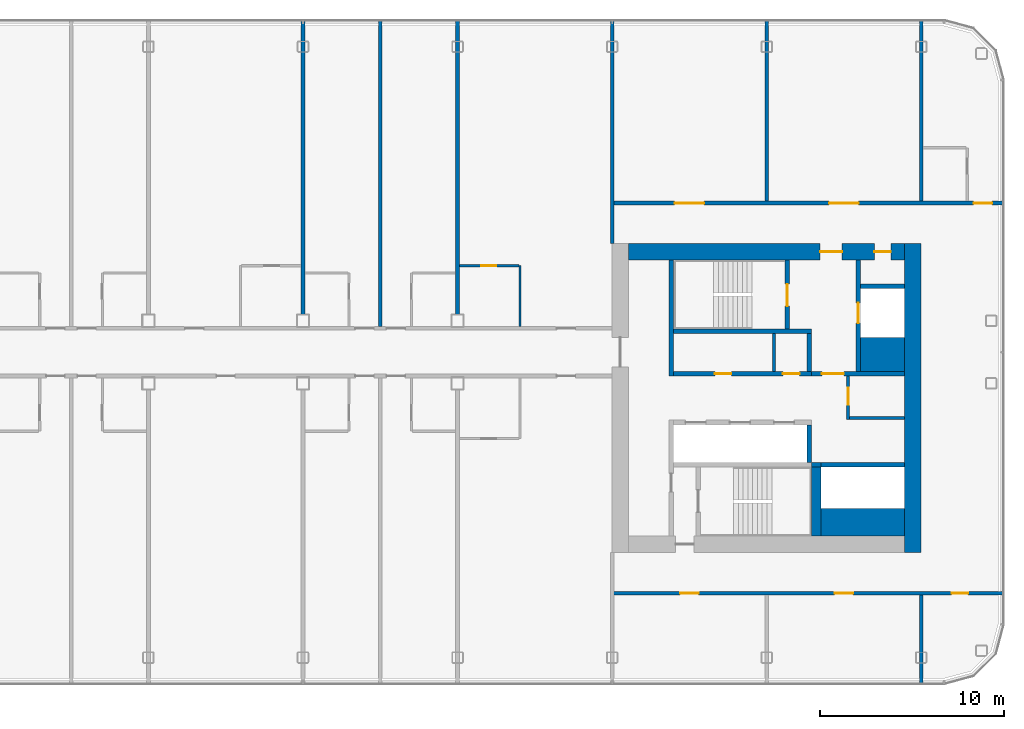
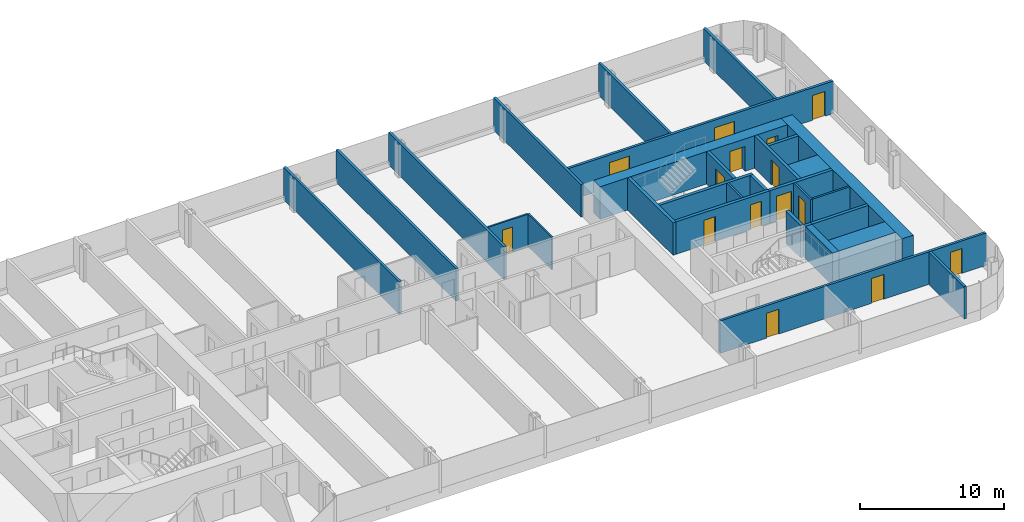
# One storey, part 16 of 26: 30 walls, 15 doors, 15 openings.
"""IFC4 building model written with IfcOpenShell, lengths in metres."""

from ifc_helpers import new_model, si_unit, direction, frame, frame_2d, origin, place, context, subcontext, project, spatial, rectangle, extrude, material, layer, layer_set, type_object, element, fill, save


model = new_model("IFC4")

# Units and contexts
model_context = context("Model", 3, precision=1e-05, world=origin(), true_north=direction((0.0, 1.0)))
body_context = subcontext(model_context, "Body", "Model", "MODEL_VIEW")
ifc_project = project(units=[si_unit("LENGTHUNIT", "METRE"), si_unit("AREAUNIT", "SQUARE_METRE"), si_unit("VOLUMEUNIT", "CUBIC_METRE"), si_unit("PLANEANGLEUNIT", "RADIAN"), si_unit("MASSUNIT", "GRAM", prefix="KILO")], contexts=[model_context])

# Site, building, storey
site_placement = place(None, origin())
site = spatial("IfcSite", under=ifc_project, at=site_placement, CompositionType="ELEMENT")
building_placement = place(site_placement, origin())
building = spatial("IfcBuilding", under=site, at=building_placement, Name="Hakoniwa Tower and Hamabe Station Hall", CompositionType="ELEMENT")
storey_placement = place(building_placement, frame((0.0, 0.0, 196.199951171875)))
storey = spatial("IfcBuildingStorey", under=building, at=storey_placement, Name="L55", CompositionType="ELEMENT", Elevation=196.199951171875)

# Wall, opening, door
ifc_material_1 = material(Name="Gypsum board partition", Category="gypsum")
ifc_layer_1 = layer(ifc_material_1, 0.125)
ifc_layer_set_1 = layer_set([ifc_layer_1], Name="Bathroom Partition 125")
wall_type_1 = type_object("IfcWallType", Name="Bathroom Partition 125", PredefinedType="PARTITIONING", material=ifc_layer_set_1)
wall_1_placement = place(storey_placement, frame((8.5, 7.199951171875, 0.0), z_axis=(0.0, 0.0, 1.0), x_axis=(1.0, 0.0, 0.0)))
wall_1 = element("IfcWall", 1, at=wall_1_placement, inside=storey, type_object=wall_type_1, Name="GW-L55-015", PredefinedType="PARTITIONING", context=body_context, shape_type="SweptSolid", body=[
    extrude(rectangle(XDim=3.237548828125, YDim=0.125, at=frame_2d((1.61865234375, 0.0))), origin(), (0.0, 0.0, 1.0), 2.75),
])
opening_1_placement = place(wall_1_placement, frame((1.199951171875, 0.0, 0.0)))
opening_1 = element("IfcOpeningElement", 2, at=opening_1_placement, cuts=wall_1, Name="Opening GD-G4D0-23", PredefinedType="OPENING", context=body_context, shape_type="SweptSolid", body=[
    extrude(rectangle(XDim=0.800048828125, YDim=2.10009765625, at=frame_2d((0.39990234375, 1.050048828125))), frame((0.0, 0.072509765625, 0.0), z_axis=(0.0, -1.0, 0.0), x_axis=(1.0, 0.0, 0.0)), (0.0, 0.0, 1.0), 0.14501953125),
])
ifc_material_2 = material(Name="Timber door leaf", Category="wood")
door_type_1 = type_object("IfcDoorType", Name="Bathroom Door 800", OperationType="SINGLE_SWING_LEFT", PredefinedType="DOOR", material=ifc_material_2)
door_1_placement = place(opening_1_placement, origin())
door_1 = element("IfcDoor", 3, at=door_1_placement, inside=storey, type_object=door_type_1, Name="Door GD-G4D0-23", OperationType="SINGLE_SWING_RIGHT", OverallHeight=2.10009765625, OverallWidth=0.800048828125, PredefinedType="DOOR", context=body_context, shape_type="SweptSolid", body=[
    extrude(rectangle(XDim=0.800048828125, YDim=2.10009765625, at=frame_2d((0.39990234375, 1.050048828125))), frame((0.0, 0.02490234375, 0.0), z_axis=(0.0, -1.0, 0.0), x_axis=(1.0, 0.0, 0.0)), (0.0, 0.0, 1.0), 0.050048828125),
])
fill(opening_1, door_1)

# Wall
wall_2_placement = place(storey_placement, frame((11.800048828125, 3.89990234375, 0.0), z_axis=(0.0, 0.0, 1.0), x_axis=(0.0, 1.0, 0.0)))
element("IfcWall", 4, at=wall_2_placement, inside=storey, type_object=wall_type_1, Name="GW-L55-049", PredefinedType="PARTITIONING", context=body_context, shape_type="SweptSolid", body=[
    extrude(rectangle(XDim=3.300048828125, YDim=0.125, at=frame_2d((1.64990234375, 0.0))), origin(), (0.0, 0.0, 1.0), 2.75),
])

# Wall, opening, door
ifc_material_3 = material(Name="Gypsum board partition")
ifc_layer_2 = layer(ifc_material_3, 0.14990234375)
ifc_layer_set_2 = layer_set([ifc_layer_2], Name="CORE PARTITION 150 EI 60")
wall_type_2 = type_object("IfcWallType", Name="CORE PARTITION 150 EI 60", PredefinedType="PARTITIONING", material=ifc_layer_set_2)
wall_3_placement = place(storey_placement, frame((29.625, -1.14990234375, 0.0), z_axis=(0.0, 0.0, 1.0), x_axis=(0.0, 1.0, 0.0)))
wall_3 = element("IfcWall", 5, at=wall_3_placement, inside=storey, type_object=wall_type_2, Name="Core partition PW0 east", PredefinedType="PARTITIONING", context=body_context, shape_type="SweptSolid", body=[
    extrude(rectangle(XDim=2.349853515625, YDim=0.14990234375, at=frame_2d((1.1748046875, 0.0))), origin(), (0.0, 0.0, 1.0), 2.75),
])
opening_2_placement = place(wall_3_placement, frame((0.800048828125, 0.0, 0.0)))
opening_2 = element("IfcOpeningElement", 6, at=opening_2_placement, cuts=wall_3, Name="Opening CD-E-RM1-9", PredefinedType="OPENING", context=body_context, shape_type="SweptSolid", body=[
    extrude(rectangle(XDim=0.89990234375, YDim=2.10009765625, at=frame_2d((0.449951171875, 1.050048828125))), frame((0.0, 0.0849609375, 0.0), z_axis=(0.0, -1.0, 0.0), x_axis=(1.0, 0.0, 0.0)), (0.0, 0.0, 1.0), 0.169921875),
])
ifc_material_4 = material(Name="Steel fire door", Category="steel")
door_type_2 = type_object("IfcDoorType", Name="CORE DOOR 900 FD30", OperationType="NOTDEFINED", PredefinedType="DOOR", material=ifc_material_4)
door_2_placement = place(opening_2_placement, origin())
door_2 = element("IfcDoor", 7, at=door_2_placement, inside=storey, type_object=door_type_2, Name="Store room door", OperationType="SINGLE_SWING_RIGHT", OverallHeight=2.10009765625, OverallWidth=0.89990234375, PredefinedType="DOOR", context=body_context, shape_type="SweptSolid", body=[
    extrude(rectangle(XDim=0.89990234375, YDim=2.10009765625, at=frame_2d((0.449951171875, 1.050048828125))), frame((0.0, 0.02490234375, 0.0), z_axis=(0.0, -1.0, 0.0), x_axis=(1.0, 0.0, 0.0)), (0.0, 0.0, 1.0), 0.050048828125),
])
fill(opening_2, door_2)

# Walls
wall_4_placement = place(storey_placement, frame((29.699951171875, -1.074951171875, 0.0), z_axis=(0.0, 0.0, 1.0), x_axis=(1.0, 0.0, 0.0)))
element("IfcWall", 8, at=wall_4_placement, inside=storey, type_object=wall_type_2, Name="Core partition PS east", PredefinedType="PARTITIONING", context=body_context, shape_type="SweptSolid", body=[
    extrude(rectangle(XDim=3.0, YDim=0.14990234375, at=frame_2d((1.5, 0.0))), origin(), (0.0, 0.0, 1.0), 2.75),
])
wall_5_placement = place(storey_placement, frame((25.60009765625, 1.449951171875, 0.0), z_axis=(0.0, 0.0, 1.0), x_axis=(0.0, 1.0, 0.0)))
element("IfcWall", 9, at=wall_5_placement, inside=storey, type_object=wall_type_2, Name="Core partition PFLR0 east", PredefinedType="PARTITIONING", context=body_context, shape_type="SweptSolid", body=[
    extrude(rectangle(XDim=2.050048828125, YDim=0.14990234375, at=frame_2d((1.02490234375, 0.0))), origin(), (0.0, 0.0, 1.0), 2.75),
])
ifc_material_5 = material(Name="Concrete C60", Category="concrete")
ifc_layer_3 = layer(ifc_material_5, 0.89990234375)
ifc_layer_set_3 = layer_set([ifc_layer_3], Name="CORE WALL 900 C60")
wall_type_3 = type_object("IfcWallType", Name="CORE WALL 900 C60", PredefinedType="SHEAR", material=ifc_layer_set_3)
wall_6_placement = place(storey_placement, frame((33.14990234375, -8.39990234375, 0.0), z_axis=(0.0, 0.0, 1.0), x_axis=(0.0, 1.0, 0.0)))
element("IfcWall", 10, at=wall_6_placement, inside=storey, type_object=wall_type_3, Name="Core wall OUTER east", PredefinedType="SHEAR", context=body_context, shape_type="SweptSolid", body=[
    extrude(rectangle(XDim=16.7998046875, YDim=0.89990234375, at=frame_2d((8.39990234375, 0.0))), origin(), (0.0, 0.0, 1.0), 2.75),
])

# Wall, openings, doors
wall_7_placement = place(storey_placement, frame((17.699951171875, 7.949951171875, 0.0), z_axis=(0.0, 0.0, 1.0), x_axis=(1.0, 0.0, 0.0)))
wall_7 = element("IfcWall", 11, at=wall_7_placement, inside=storey, type_object=wall_type_3, Name="Core wall NORTH east", PredefinedType="SHEAR", context=body_context, shape_type="SweptSolid", body=[
    extrude(rectangle(XDim=15.0, YDim=0.89990234375, at=frame_2d((7.5, 0.0))), origin(), (0.0, 0.0, 1.0), 2.75),
])
opening_3_placement = place(wall_7_placement, frame((10.39990234375, 0.0, 0.0)))
opening_3 = element("IfcOpeningElement", 12, at=opening_3_placement, cuts=wall_7, Name="Opening CD-E-FN1-12", PredefinedType="OPENING", context=body_context, shape_type="SweptSolid", body=[
    extrude(rectangle(XDim=1.199951171875, YDim=2.10009765625, at=frame_2d((0.60009765625, 1.050048828125))), frame((0.0, 0.4599609375, 0.0), z_axis=(0.0, -1.0, 0.0), x_axis=(1.0, 0.0, 0.0)), (0.0, 0.0, 1.0), 0.919921875),
])
opening_4_placement = place(wall_7_placement, frame((13.35009765625, 0.0, 0.0)))
opening_4 = element("IfcOpeningElement", 13, at=opening_4_placement, cuts=wall_7, Name="Opening CD-E-FN2-9", PredefinedType="OPENING", context=body_context, shape_type="SweptSolid", body=[
    extrude(rectangle(XDim=0.89990234375, YDim=2.10009765625, at=frame_2d((0.449951171875, 1.050048828125))), frame((0.0, 0.4599609375, 0.0), z_axis=(0.0, -1.0, 0.0), x_axis=(1.0, 0.0, 0.0)), (0.0, 0.0, 1.0), 0.919921875),
])
ifc_material_6 = material(Name="Steel fire door", Category="steel")
door_type_3 = type_object("IfcDoorType", Name="CORE DOOR 1200 FD60", OperationType="DOUBLE_DOOR_SINGLE_SWING", PredefinedType="DOOR", material=ifc_material_6)
door_3_placement = place(opening_3_placement, origin())
door_3 = element("IfcDoor", 14, at=door_3_placement, inside=storey, type_object=door_type_3, Name="Stair vestibule door to the fire-fighting lobby", OperationType="DOUBLE_DOOR_SINGLE_SWING", OverallHeight=2.10009765625, OverallWidth=1.199951171875, PredefinedType="DOOR", context=body_context, shape_type="SweptSolid", body=[
    extrude(rectangle(XDim=1.199951171875, YDim=2.10009765625, at=frame_2d((0.60009765625, 1.050048828125))), frame((0.0, 0.02490234375, 0.0), z_axis=(0.0, -1.0, 0.0), x_axis=(1.0, 0.0, 0.0)), (0.0, 0.0, 1.0), 0.050048828125),
])
fill(opening_3, door_3)
door_4_placement = place(opening_4_placement, origin())
door_4 = element("IfcDoor", 15, at=door_4_placement, inside=storey, type_object=door_type_2, Name="Riser access door", OperationType="SINGLE_SWING_LEFT", OverallHeight=2.10009765625, OverallWidth=0.89990234375, PredefinedType="DOOR", context=body_context, shape_type="SweptSolid", body=[
    extrude(rectangle(XDim=0.89990234375, YDim=2.10009765625, at=frame_2d((0.449951171875, 1.050048828125))), frame((0.0, 0.02490234375, 0.0), z_axis=(0.0, -1.0, 0.0), x_axis=(1.0, 0.0, 0.0)), (0.0, 0.0, 1.0), 0.050048828125),
])
fill(opening_4, door_4)

# Walls
ifc_material_7 = material(Name="Concrete C60", Category="concrete")
ifc_layer_4 = layer(ifc_material_7, 1.5)
ifc_layer_set_4 = layer_set([ifc_layer_4], Name="CORE WEB WALL 1500 C60")
wall_type_4 = type_object("IfcWallType", Name="CORE WEB WALL 1500 C60", PredefinedType="SHEAR", material=ifc_layer_set_4)
wall_8_placement = place(storey_placement, frame((28.14990234375, -6.75, 0.0), z_axis=(0.0, 0.0, 1.0), x_axis=(1.0, 0.0, 0.0)))
element("IfcWall", 16, at=wall_8_placement, inside=storey, type_object=wall_type_4, Name="Core wall SER east", PredefinedType="SHEAR", context=body_context, shape_type="SweptSolid", body=[
    extrude(rectangle(XDim=4.550048828125, YDim=1.5, at=frame_2d((2.27490234375, 0.0))), origin(), (0.0, 0.0, 1.0), 2.75),
])
ifc_material_8 = material(Name="Concrete C60", Category="concrete")
ifc_layer_5 = layer(ifc_material_8, 1.85009765625)
ifc_layer_set_5 = layer_set([ifc_layer_5], Name="CORE WEB WALL 1850 C60")
wall_type_5 = type_object("IfcWallType", Name="CORE WEB WALL 1850 C60", PredefinedType="SHEAR", material=ifc_layer_set_5)
wall_9_placement = place(storey_placement, frame((30.300048828125, 2.375, 0.0), z_axis=(0.0, 0.0, 1.0), x_axis=(1.0, 0.0, 0.0)))
element("IfcWall", 17, at=wall_9_placement, inside=storey, type_object=wall_type_5, Name="Core wall CA east", PredefinedType="SHEAR", context=body_context, shape_type="SweptSolid", body=[
    extrude(rectangle(XDim=2.39990234375, YDim=1.85009765625, at=frame_2d((1.199951171875, 0.0))), origin(), (0.0, 0.0, 1.0), 2.75),
])
ifc_material_9 = material(Name="Concrete C60", Category="concrete")
ifc_layer_6 = layer(ifc_material_9, 0.25)
ifc_layer_set_6 = layer_set([ifc_layer_6], Name="CORE WEB WALL 250 C60")
wall_type_6 = type_object("IfcWallType", Name="CORE WEB WALL 250 C60", PredefinedType="SHEAR", material=ifc_layer_set_6)
wall_10_placement = place(storey_placement, frame((20.02490234375, 1.199951171875, 0.0), z_axis=(0.0, 0.0, 1.0), x_axis=(0.0, 1.0, 0.0)))
element("IfcWall", 18, at=wall_10_placement, inside=storey, type_object=wall_type_6, Name="Core wall W1N east", PredefinedType="SHEAR", context=body_context, shape_type="SweptSolid", body=[
    extrude(rectangle(XDim=6.300048828125, YDim=0.25, at=frame_2d((3.14990234375, 0.0))), origin(), (0.0, 0.0, 1.0), 2.75),
])

# Wall, openings, doors
wall_11_placement = place(storey_placement, frame((20.14990234375, 1.324951171875, 0.0), z_axis=(0.0, 0.0, 1.0), x_axis=(1.0, 0.0, 0.0)))
wall_11 = element("IfcWall", 19, at=wall_11_placement, inside=storey, type_object=wall_type_6, Name="Core wall NF east", PredefinedType="SHEAR", context=body_context, shape_type="SweptSolid", body=[
    extrude(rectangle(XDim=7.5, YDim=0.25, at=frame_2d((3.75, 0.0))), origin(), (0.0, 0.0, 1.0), 2.75),
])
opening_5_placement = place(wall_11_placement, frame((2.237548828125, 0.0, 0.0)))
opening_5 = element("IfcOpeningElement", 20, at=opening_5_placement, cuts=wall_11, Name="Opening CD-E-FRLR0-9", PredefinedType="OPENING", context=body_context, shape_type="SweptSolid", body=[
    extrude(rectangle(XDim=0.89990234375, YDim=2.10009765625, at=frame_2d((0.449951171875, 1.050048828125))), frame((0.0, 0.135009765625, 0.0), z_axis=(0.0, -1.0, 0.0), x_axis=(1.0, 0.0, 0.0)), (0.0, 0.0, 1.0), 0.27001953125),
])
opening_6_placement = place(wall_11_placement, frame((5.9375, 0.0, 0.0)))
opening_6 = element("IfcOpeningElement", 21, at=opening_6_placement, cuts=wall_11, Name="Opening CD-E-FRLR1-9", PredefinedType="OPENING", context=body_context, shape_type="SweptSolid", body=[
    extrude(rectangle(XDim=0.89990234375, YDim=2.10009765625, at=frame_2d((0.449951171875, 1.050048828125))), frame((0.0, 0.135009765625, 0.0), z_axis=(0.0, -1.0, 0.0), x_axis=(1.0, 0.0, 0.0)), (0.0, 0.0, 1.0), 0.27001953125),
])
door_5_placement = place(opening_5_placement, origin())
door_5 = element("IfcDoor", 22, at=door_5_placement, inside=storey, type_object=door_type_2, Name="Store room door", OperationType="SINGLE_SWING_RIGHT", OverallHeight=2.10009765625, OverallWidth=0.89990234375, PredefinedType="DOOR", context=body_context, shape_type="SweptSolid", body=[
    extrude(rectangle(XDim=0.89990234375, YDim=2.10009765625, at=frame_2d((0.449951171875, 1.050048828125))), frame((0.0, 0.02490234375, 0.0), z_axis=(0.0, -1.0, 0.0), x_axis=(1.0, 0.0, 0.0)), (0.0, 0.0, 1.0), 0.050048828125),
])
fill(opening_5, door_5)
door_6_placement = place(opening_6_placement, origin())
door_6 = element("IfcDoor", 23, at=door_6_placement, inside=storey, type_object=door_type_2, Name="Store room door", OperationType="SINGLE_SWING_LEFT", OverallHeight=2.10009765625, OverallWidth=0.89990234375, PredefinedType="DOOR", context=body_context, shape_type="SweptSolid", body=[
    extrude(rectangle(XDim=0.89990234375, YDim=2.10009765625, at=frame_2d((0.449951171875, 1.050048828125))), frame((0.0, 0.02490234375, 0.0), z_axis=(0.0, -1.0, 0.0), x_axis=(1.0, 0.0, 0.0)), (0.0, 0.0, 1.0), 0.050048828125),
])
fill(opening_6, door_6)

# Walls
wall_12_placement = place(storey_placement, frame((27.52490234375, 1.449951171875, 0.0), z_axis=(0.0, 0.0, 1.0), x_axis=(0.0, 1.0, 0.0)))
element("IfcWall", 24, at=wall_12_placement, inside=storey, type_object=wall_type_6, Name="Core wall NE east", PredefinedType="SHEAR", context=body_context, shape_type="SweptSolid", body=[
    extrude(rectangle(XDim=2.050048828125, YDim=0.25, at=frame_2d((1.02490234375, 0.0))), origin(), (0.0, 0.0, 1.0), 2.75),
])
wall_13_placement = place(storey_placement, frame((20.14990234375, 3.625, 0.0), z_axis=(0.0, 0.0, 1.0), x_axis=(1.0, 0.0, 0.0)))
element("IfcWall", 25, at=wall_13_placement, inside=storey, type_object=wall_type_6, Name="Core wall NR east", PredefinedType="SHEAR", context=body_context, shape_type="SweptSolid", body=[
    extrude(rectangle(XDim=7.5, YDim=0.25, at=frame_2d((3.75, 0.0))), origin(), (0.0, 0.0, 1.0), 2.75),
])

# Wall, opening, door
wall_14_placement = place(storey_placement, frame((26.324951171875, 3.75, 0.0), z_axis=(0.0, 0.0, 1.0), x_axis=(0.0, 1.0, 0.0)))
wall_14 = element("IfcWall", 26, at=wall_14_placement, inside=storey, type_object=wall_type_6, Name="Core wall NSE east", PredefinedType="SHEAR", context=body_context, shape_type="SweptSolid", body=[
    extrude(rectangle(XDim=3.75, YDim=0.25, at=frame_2d((1.875, 0.0))), origin(), (0.0, 0.0, 1.0), 2.75),
])
opening_7_placement = place(wall_14_placement, frame((1.25, 0.0, 0.0)))
opening_7 = element("IfcOpeningElement", 27, at=opening_7_placement, cuts=wall_14, Name="Opening CD-E-SN-12", PredefinedType="OPENING", context=body_context, shape_type="SweptSolid", body=[
    extrude(rectangle(XDim=1.199951171875, YDim=2.10009765625, at=frame_2d((0.60009765625, 1.050048828125))), frame((0.0, 0.135009765625, 0.0), z_axis=(0.0, -1.0, 0.0), x_axis=(1.0, 0.0, 0.0)), (0.0, 0.0, 1.0), 0.27001953125),
])
door_7_placement = place(opening_7_placement, origin())
door_7 = element("IfcDoor", 28, at=door_7_placement, inside=storey, type_object=door_type_3, Name="Escape stair door", OperationType="DOUBLE_DOOR_SINGLE_SWING", OverallHeight=2.10009765625, OverallWidth=1.199951171875, PredefinedType="DOOR", context=body_context, shape_type="SweptSolid", body=[
    extrude(rectangle(XDim=1.199951171875, YDim=2.10009765625, at=frame_2d((0.60009765625, 1.050048828125))), frame((0.0, 0.02490234375, 0.0), z_axis=(0.0, -1.0, 0.0), x_axis=(1.0, 0.0, 0.0)), (0.0, 0.0, 1.0), 0.050048828125),
])
fill(opening_7, door_7)

wall_15_placement = place(storey_placement, frame((27.64990234375, 1.324951171875, 0.0), z_axis=(0.0, 0.0, 1.0), x_axis=(1.0, 0.0, 0.0)))
wall_15 = element("IfcWall", 29, at=wall_15_placement, inside=storey, type_object=wall_type_6, Name="Core wall ELN east", PredefinedType="SHEAR", context=body_context, shape_type="SweptSolid", body=[
    extrude(rectangle(XDim=5.050048828125, YDim=0.25, at=frame_2d((2.52490234375, 0.0))), origin(), (0.0, 0.0, 1.0), 2.75),
])
opening_8_placement = place(wall_15_placement, frame((0.550048828125, 0.0, 0.0)))
opening_8 = element("IfcOpeningElement", 30, at=opening_8_placement, cuts=wall_15, Name="Opening CD-E-FL-12", PredefinedType="OPENING", context=body_context, shape_type="SweptSolid", body=[
    extrude(rectangle(XDim=1.199951171875, YDim=2.10009765625, at=frame_2d((0.60009765625, 1.050048828125))), frame((0.0, 0.135009765625, 0.0), z_axis=(0.0, -1.0, 0.0), x_axis=(1.0, 0.0, 0.0)), (0.0, 0.0, 1.0), 0.27001953125),
])
door_8_placement = place(opening_8_placement, origin())
door_8 = element("IfcDoor", 31, at=door_8_placement, inside=storey, type_object=door_type_3, Name="Stair vestibule door to the fire-fighting lobby", OperationType="DOUBLE_DOOR_SINGLE_SWING", OverallHeight=2.10009765625, OverallWidth=1.199951171875, PredefinedType="DOOR", context=body_context, shape_type="SweptSolid", body=[
    extrude(rectangle(XDim=1.199951171875, YDim=2.10009765625, at=frame_2d((0.60009765625, 1.050048828125))), frame((0.0, 0.02490234375, 0.0), z_axis=(0.0, -1.0, 0.0), x_axis=(1.0, 0.0, 0.0)), (0.0, 0.0, 1.0), 0.050048828125),
])
fill(opening_8, door_8)

wall_16_placement = place(storey_placement, frame((30.175048828125, 1.449951171875, 0.0), z_axis=(0.0, 0.0, 1.0), x_axis=(0.0, 1.0, 0.0)))
wall_16 = element("IfcWall", 32, at=wall_16_placement, inside=storey, type_object=wall_type_6, Name="Core wall FFF east", PredefinedType="SHEAR", context=body_context, shape_type="SweptSolid", body=[
    extrude(rectangle(XDim=6.050048828125, YDim=0.25, at=frame_2d((3.02490234375, 0.0))), origin(), (0.0, 0.0, 1.0), 2.75),
])
opening_9_placement = place(wall_16_placement, frame((2.625, 0.0, 0.0)))
opening_9 = element("IfcOpeningElement", 33, at=opening_9_placement, cuts=wall_16, Name="Opening LD-FF2", PredefinedType="OPENING", context=body_context, shape_type="SweptSolid", body=[
    extrude(rectangle(XDim=1.10009765625, YDim=2.10009765625, at=frame_2d((0.550048828125, 1.050048828125))), frame((0.0, 0.135009765625, 0.0), z_axis=(0.0, -1.0, 0.0), x_axis=(1.0, 0.0, 0.0)), (0.0, 0.0, 1.0), 0.27001953125),
])
ifc_material_10 = material(Name="Stainless steel SUS304", Category="steel")
door_type_4 = type_object("IfcDoorType", Name="LIFT LANDING DOOR 1100 FD60", OperationType="DOUBLE_DOOR_SLIDING", PredefinedType="DOOR", material=ifc_material_10)
door_9_placement = place(opening_9_placement, origin())
door_9 = element("IfcDoor", 34, at=door_9_placement, inside=storey, type_object=door_type_4, Name="Lift landing door FF2 L55", OperationType="DOUBLE_DOOR_SLIDING", OverallHeight=2.10009765625, OverallWidth=1.10009765625, PredefinedType="DOOR", context=body_context, shape_type="SweptSolid", body=[
    extrude(rectangle(XDim=1.10009765625, YDim=2.10009765625, at=frame_2d((0.550048828125, 1.050048828125))), frame((0.0, 0.02490234375, 0.0), z_axis=(0.0, -1.0, 0.0), x_axis=(1.0, 0.0, 0.0)), (0.0, 0.0, 1.0), 0.050048828125),
])
fill(opening_9, door_9)

# Walls
wall_17_placement = place(storey_placement, frame((30.300048828125, 6.074951171875, 0.0), z_axis=(0.0, 0.0, 1.0), x_axis=(1.0, 0.0, 0.0)))
element("IfcWall", 35, at=wall_17_placement, inside=storey, type_object=wall_type_6, Name="Core wall C2 east", PredefinedType="SHEAR", context=body_context, shape_type="SweptSolid", body=[
    extrude(rectangle(XDim=2.39990234375, YDim=0.25, at=frame_2d((1.199951171875, 0.0))), origin(), (0.0, 0.0, 1.0), 2.75),
])
wall_18_placement = place(storey_placement, frame((27.52490234375, -3.5, 0.0), z_axis=(0.0, 0.0, 1.0), x_axis=(0.0, 1.0, 0.0)))
element("IfcWall", 36, at=wall_18_placement, inside=storey, type_object=wall_type_6, Name="Core wall SE east", PredefinedType="SHEAR", context=body_context, shape_type="SweptSolid", body=[
    extrude(rectangle(XDim=2.050048828125, YDim=0.25, at=frame_2d((1.02490234375, 0.0))), origin(), (0.0, 0.0, 1.0), 2.75),
])
wall_19_placement = place(storey_placement, frame((28.14990234375, -3.625, 0.0), z_axis=(0.0, 0.0, 1.0), x_axis=(1.0, 0.0, 0.0)))
element("IfcWall", 37, at=wall_19_placement, inside=storey, type_object=wall_type_6, Name="Core wall SEF east", PredefinedType="SHEAR", context=body_context, shape_type="SweptSolid", body=[
    extrude(rectangle(XDim=4.550048828125, YDim=0.25, at=frame_2d((2.27490234375, 0.0))), origin(), (0.0, 0.0, 1.0), 2.75),
])
wall_20_placement = place(storey_placement, frame((27.64990234375, -3.625, 0.0), z_axis=(0.0, 0.0, 1.0), x_axis=(1.0, 0.0, 0.0)))
element("IfcWall", 38, at=wall_20_placement, inside=storey, type_object=wall_type_6, Name="Core wall SRK east", PredefinedType="SHEAR", context=body_context, shape_type="SweptSolid", body=[
    extrude(rectangle(XDim=0.5, YDim=0.25, at=frame_2d((0.25, 0.0))), origin(), (0.0, 0.0, 1.0), 2.75),
])
ifc_material_11 = material(Name="Concrete C60", Category="concrete")
ifc_layer_7 = layer(ifc_material_11, 0.5)
ifc_layer_set_7 = layer_set([ifc_layer_7], Name="CORE WEB WALL 500 C60")
wall_type_7 = type_object("IfcWallType", Name="CORE WEB WALL 500 C60", PredefinedType="SHEAR", material=ifc_layer_set_7)
wall_21_placement = place(storey_placement, frame((27.89990234375, -7.5, 0.0), z_axis=(0.0, 0.0, 1.0), x_axis=(0.0, 1.0, 0.0)))
element("IfcWall", 39, at=wall_21_placement, inside=storey, type_object=wall_type_7, Name="Core wall SSE east", PredefinedType="SHEAR", context=body_context, shape_type="SweptSolid", body=[
    extrude(rectangle(XDim=3.75, YDim=0.5, at=frame_2d((1.875, 0.0))), origin(), (0.0, 0.0, 1.0), 2.75),
])

# Wall, openings, doors
ifc_material_12 = material(Name="Fire-rated gypsum board partition", Category="gypsum")
ifc_layer_8 = layer(ifc_material_12, 0.199951171875)
ifc_layer_set_8 = layer_set([ifc_layer_8], Name="Corridor Wall 200")
wall_type_8 = type_object("IfcWallType", Name="Corridor Wall 200", PredefinedType="PARTITIONING", material=ifc_layer_set_8)
wall_22_placement = place(storey_placement, frame((16.800048828125, -10.60009765625, 0.0), z_axis=(0.0, 0.0, 1.0), x_axis=(1.0, 0.0, 0.0)))
wall_22 = element("IfcWall", 40, at=wall_22_placement, inside=storey, type_object=wall_type_8, Name="GW-L55-002", PredefinedType="PARTITIONING", context=body_context, shape_type="SweptSolid", body=[
    extrude(rectangle(XDim=21.300048828125, YDim=0.199951171875, at=frame_2d((10.64990234375, 0.0))), origin(), (0.0, 0.0, 1.0), 2.75),
])
opening_10_placement = place(wall_22_placement, frame((3.699951171875, 0.0, 0.0)))
opening_10 = element("IfcOpeningElement", 41, at=opening_10_placement, cuts=wall_22, Name="Opening GD-G4D0-06", PredefinedType="OPENING", context=body_context, shape_type="SweptSolid", body=[
    extrude(rectangle(XDim=1.0, YDim=2.10009765625, at=frame_2d((0.5, 1.050048828125))), frame((0.0, 0.10986328125, 0.0), z_axis=(0.0, -1.0, 0.0), x_axis=(1.0, 0.0, 0.0)), (0.0, 0.0, 1.0), 0.219970703125),
])
opening_11_placement = place(wall_22_placement, frame((12.10009765625, 0.0, 0.0)))
opening_11 = element("IfcOpeningElement", 42, at=opening_11_placement, cuts=wall_22, Name="Opening GD-G4D0-07", PredefinedType="OPENING", context=body_context, shape_type="SweptSolid", body=[
    extrude(rectangle(XDim=1.0, YDim=2.10009765625, at=frame_2d((0.5, 1.050048828125))), frame((0.0, 0.10986328125, 0.0), z_axis=(0.0, -1.0, 0.0), x_axis=(1.0, 0.0, 0.0)), (0.0, 0.0, 1.0), 0.219970703125),
])
opening_12_placement = place(wall_22_placement, frame((18.449951171875, 0.0, 0.0)))
opening_12 = element("IfcOpeningElement", 43, at=opening_12_placement, cuts=wall_22, Name="Opening GD-G4D0-08", PredefinedType="OPENING", context=body_context, shape_type="SweptSolid", body=[
    extrude(rectangle(XDim=0.89990234375, YDim=2.10009765625, at=frame_2d((0.449951171875, 1.050048828125))), frame((0.0, 0.10986328125, 0.0), z_axis=(0.0, -1.0, 0.0), x_axis=(1.0, 0.0, 0.0)), (0.0, 0.0, 1.0), 0.219970703125),
])
ifc_material_13 = material(Name="Timber door leaf", Category="wood")
door_type_5 = type_object("IfcDoorType", Name="Guest Entrance Door 1000", OperationType="SINGLE_SWING_LEFT", PredefinedType="DOOR", material=ifc_material_13)
door_10_placement = place(opening_10_placement, origin())
door_10 = element("IfcDoor", 44, at=door_10_placement, inside=storey, type_object=door_type_5, Name="Door GD-G4D0-06", OperationType="SINGLE_SWING_LEFT", OverallHeight=2.10009765625, OverallWidth=1.0, PredefinedType="DOOR", context=body_context, shape_type="SweptSolid", body=[
    extrude(rectangle(XDim=1.0, YDim=2.10009765625, at=frame_2d((0.5, 1.050048828125))), frame((0.0, 0.02490234375, 0.0), z_axis=(0.0, -1.0, 0.0), x_axis=(1.0, 0.0, 0.0)), (0.0, 0.0, 1.0), 0.050048828125),
])
fill(opening_10, door_10)
door_11_placement = place(opening_11_placement, origin())
door_11 = element("IfcDoor", 45, at=door_11_placement, inside=storey, type_object=door_type_5, Name="Door GD-G4D0-07", OperationType="SINGLE_SWING_RIGHT", OverallHeight=2.10009765625, OverallWidth=1.0, PredefinedType="DOOR", context=body_context, shape_type="SweptSolid", body=[
    extrude(rectangle(XDim=1.0, YDim=2.10009765625, at=frame_2d((0.5, 1.050048828125))), frame((0.0, 0.02490234375, 0.0), z_axis=(0.0, -1.0, 0.0), x_axis=(1.0, 0.0, 0.0)), (0.0, 0.0, 1.0), 0.050048828125),
])
fill(opening_11, door_11)
ifc_material_14 = material(Name="Timber door leaf", Category="wood")
door_type_6 = type_object("IfcDoorType", Name="Service Door 900", OperationType="SINGLE_SWING_LEFT", PredefinedType="DOOR", material=ifc_material_14)
door_12_placement = place(opening_12_placement, origin())
door_12 = element("IfcDoor", 46, at=door_12_placement, inside=storey, type_object=door_type_6, Name="Door GD-G4D0-08", OperationType="SINGLE_SWING_LEFT", OverallHeight=2.10009765625, OverallWidth=0.89990234375, PredefinedType="DOOR", context=body_context, shape_type="SweptSolid", body=[
    extrude(rectangle(XDim=0.89990234375, YDim=2.10009765625, at=frame_2d((0.449951171875, 1.050048828125))), frame((0.0, 0.02490234375, 0.0), z_axis=(0.0, -1.0, 0.0), x_axis=(1.0, 0.0, 0.0)), (0.0, 0.0, 1.0), 0.050048828125),
])
fill(opening_12, door_12)

wall_23_placement = place(storey_placement, frame((16.800048828125, 10.60009765625, 0.0), z_axis=(0.0, 0.0, 1.0), x_axis=(1.0, 0.0, 0.0)))
wall_23 = element("IfcWall", 47, at=wall_23_placement, inside=storey, type_object=wall_type_8, Name="GW-L55-017", PredefinedType="PARTITIONING", context=body_context, shape_type="SweptSolid", body=[
    extrude(rectangle(XDim=21.300048828125, YDim=0.199951171875, at=frame_2d((10.64990234375, 0.0))), origin(), (0.0, 0.0, 1.0), 2.75),
])
opening_13_placement = place(wall_23_placement, frame((3.39990234375, 0.0, 0.0)))
opening_13 = element("IfcOpeningElement", 48, at=opening_13_placement, cuts=wall_23, Name="Opening GD-G4D0-29", PredefinedType="OPENING", context=body_context, shape_type="SweptSolid", body=[
    extrude(rectangle(XDim=1.60009765625, YDim=2.10009765625, at=frame_2d((0.800048828125, 1.050048828125))), frame((0.0, 0.10986328125, 0.0), z_axis=(0.0, -1.0, 0.0), x_axis=(1.0, 0.0, 0.0)), (0.0, 0.0, 1.0), 0.219970703125),
])
opening_14_placement = place(wall_23_placement, frame((11.800048828125, 0.0, 0.0)))
opening_14 = element("IfcOpeningElement", 49, at=opening_14_placement, cuts=wall_23, Name="Opening GD-G4D0-30", PredefinedType="OPENING", context=body_context, shape_type="SweptSolid", body=[
    extrude(rectangle(XDim=1.60009765625, YDim=2.10009765625, at=frame_2d((0.800048828125, 1.050048828125))), frame((0.0, 0.10986328125, 0.0), z_axis=(0.0, -1.0, 0.0), x_axis=(1.0, 0.0, 0.0)), (0.0, 0.0, 1.0), 0.219970703125),
])
opening_15_placement = place(wall_23_placement, frame((19.64990234375, 0.0, 0.0)))
opening_15 = element("IfcOpeningElement", 50, at=opening_15_placement, cuts=wall_23, Name="Opening GD-G4D0-31", PredefinedType="OPENING", context=body_context, shape_type="SweptSolid", body=[
    extrude(rectangle(XDim=1.0, YDim=2.10009765625, at=frame_2d((0.5, 1.050048828125))), frame((0.0, 0.10986328125, 0.0), z_axis=(0.0, -1.0, 0.0), x_axis=(1.0, 0.0, 0.0)), (0.0, 0.0, 1.0), 0.219970703125),
])
ifc_material_15 = material(Name="Timber door leaf", Category="wood")
door_type_7 = type_object("IfcDoorType", Name="Double Door 1600", OperationType="DOUBLE_DOOR_SINGLE_SWING", PredefinedType="DOOR", material=ifc_material_15)
door_13_placement = place(opening_13_placement, origin())
door_13 = element("IfcDoor", 51, at=door_13_placement, inside=storey, type_object=door_type_7, Name="Door GD-G4D0-29", OperationType="DOUBLE_DOOR_SINGLE_SWING", OverallHeight=2.10009765625, OverallWidth=1.60009765625, PredefinedType="DOOR", context=body_context, shape_type="SweptSolid", body=[
    extrude(rectangle(XDim=1.60009765625, YDim=2.10009765625, at=frame_2d((0.800048828125, 1.050048828125))), frame((0.0, 0.02490234375, 0.0), z_axis=(0.0, -1.0, 0.0), x_axis=(1.0, 0.0, 0.0)), (0.0, 0.0, 1.0), 0.050048828125),
])
fill(opening_13, door_13)
door_14_placement = place(opening_14_placement, origin())
door_14 = element("IfcDoor", 52, at=door_14_placement, inside=storey, type_object=door_type_7, Name="Door GD-G4D0-30", OperationType="DOUBLE_DOOR_SINGLE_SWING", OverallHeight=2.10009765625, OverallWidth=1.60009765625, PredefinedType="DOOR", context=body_context, shape_type="SweptSolid", body=[
    extrude(rectangle(XDim=1.60009765625, YDim=2.10009765625, at=frame_2d((0.800048828125, 1.050048828125))), frame((0.0, 0.02490234375, 0.0), z_axis=(0.0, -1.0, 0.0), x_axis=(1.0, 0.0, 0.0)), (0.0, 0.0, 1.0), 0.050048828125),
])
fill(opening_14, door_14)
door_15_placement = place(opening_15_placement, origin())
door_15 = element("IfcDoor", 53, at=door_15_placement, inside=storey, type_object=door_type_5, Name="Door GD-G4D0-31", OperationType="SINGLE_SWING_RIGHT", OverallHeight=2.10009765625, OverallWidth=1.0, PredefinedType="DOOR", context=body_context, shape_type="SweptSolid", body=[
    extrude(rectangle(XDim=1.0, YDim=2.10009765625, at=frame_2d((0.5, 1.050048828125))), frame((0.0, 0.02490234375, 0.0), z_axis=(0.0, -1.0, 0.0), x_axis=(1.0, 0.0, 0.0)), (0.0, 0.0, 1.0), 0.050048828125),
])
fill(opening_15, door_15)

# Walls
ifc_material_16 = material(Name="Fire-rated gypsum board partition", Category="gypsum")
ifc_layer_9 = layer(ifc_material_16, 0.199951171875)
ifc_layer_set_9 = layer_set([ifc_layer_9], Name="Party Wall 200")
wall_type_9 = type_object("IfcWallType", Name="Party Wall 200", PredefinedType="PARTITIONING", material=ifc_layer_set_9)
wall_24_placement = place(storey_placement, frame((0.0, 4.5400390625, 0.0), z_axis=(0.0, 0.0, 1.0), x_axis=(0.0, 1.0, 0.0)))
element("IfcWall", 54, at=wall_24_placement, inside=storey, type_object=wall_type_9, Name="GW-L55-039", PredefinedType="PARTITIONING", context=body_context, shape_type="SweptSolid", body=[
    extrude(rectangle(XDim=16.010009765625, YDim=0.199951171875, at=frame_2d((8.0048828125, 0.0))), origin(), (0.0, 0.0, 1.0), 2.75),
])
wall_25_placement = place(storey_placement, frame((4.199951171875, 3.89990234375, 0.0), z_axis=(0.0, 0.0, 1.0), x_axis=(0.0, 1.0, 0.0)))
element("IfcWall", 55, at=wall_25_placement, inside=storey, type_object=wall_type_9, Name="GW-L55-043", PredefinedType="PARTITIONING", context=body_context, shape_type="SweptSolid", body=[
    extrude(rectangle(XDim=16.650146484375, YDim=0.199951171875, at=frame_2d((8.3251953125, 0.0))), origin(), (0.0, 0.0, 1.0), 2.75),
])
wall_26_placement = place(storey_placement, frame((8.39990234375, 4.5400390625, 0.0), z_axis=(0.0, 0.0, 1.0), x_axis=(0.0, 1.0, 0.0)))
element("IfcWall", 56, at=wall_26_placement, inside=storey, type_object=wall_type_9, Name="GW-L55-047", PredefinedType="PARTITIONING", context=body_context, shape_type="SweptSolid", body=[
    extrude(rectangle(XDim=16.010009765625, YDim=0.199951171875, at=frame_2d((8.0048828125, 0.0))), origin(), (0.0, 0.0, 1.0), 2.75),
])
wall_27_placement = place(storey_placement, frame((16.800048828125, 8.389892578125, 0.0), z_axis=(0.0, 0.0, 1.0), x_axis=(0.0, 1.0, 0.0)))
element("IfcWall", 57, at=wall_27_placement, inside=storey, type_object=wall_type_9, Name="GW-L55-051", PredefinedType="PARTITIONING", context=body_context, shape_type="SweptSolid", body=[
    extrude(rectangle(XDim=12.16015625, YDim=0.199951171875, at=frame_2d((6.080078125, 0.0))), origin(), (0.0, 0.0, 1.0), 2.75),
])
wall_28_placement = place(storey_placement, frame((25.199951171875, 10.699951171875, 0.0), z_axis=(0.0, 0.0, 1.0), x_axis=(0.0, 1.0, 0.0)))
element("IfcWall", 58, at=wall_28_placement, inside=storey, type_object=wall_type_9, Name="GW-L55-053", PredefinedType="PARTITIONING", context=body_context, shape_type="SweptSolid", body=[
    extrude(rectangle(XDim=9.85009765625, YDim=0.199951171875, at=frame_2d((4.925048828125, 0.0))), origin(), (0.0, 0.0, 1.0), 2.75),
])
wall_29_placement = place(storey_placement, frame((33.60009765625, -15.550048828125, 0.0), z_axis=(0.0, 0.0, 1.0), x_axis=(0.0, 1.0, 0.0)))
element("IfcWall", 59, at=wall_29_placement, inside=storey, type_object=wall_type_9, Name="GW-L55-054", PredefinedType="PARTITIONING", context=body_context, shape_type="SweptSolid", body=[
    extrude(rectangle(XDim=4.85009765625, YDim=0.199951171875, at=frame_2d((2.425048828125, 0.0))), origin(), (0.0, 0.0, 1.0), 2.75),
])
wall_30_placement = place(storey_placement, frame((33.60009765625, 10.699951171875, 0.0), z_axis=(0.0, 0.0, 1.0), x_axis=(0.0, 1.0, 0.0)))
element("IfcWall", 60, at=wall_30_placement, inside=storey, type_object=wall_type_9, Name="GW-L55-055", PredefinedType="PARTITIONING", context=body_context, shape_type="SweptSolid", body=[
    extrude(rectangle(XDim=9.85009765625, YDim=0.199951171875, at=frame_2d((4.925048828125, 0.0))), origin(), (0.0, 0.0, 1.0), 2.75),
])

save(model, "model.ifc")
